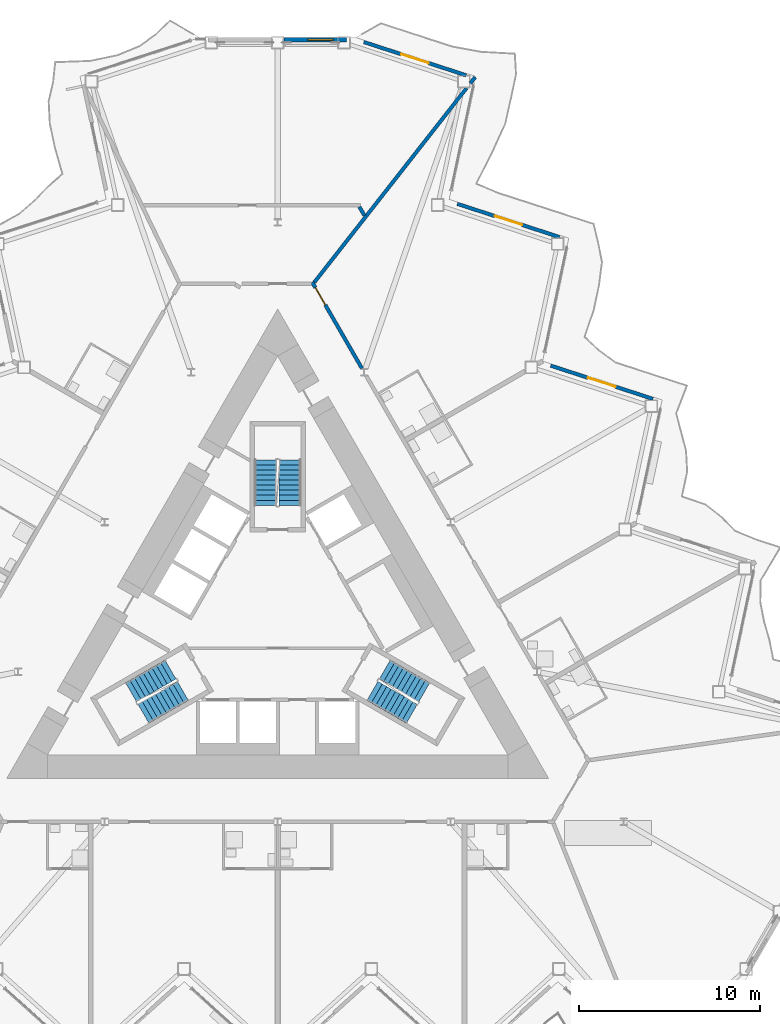
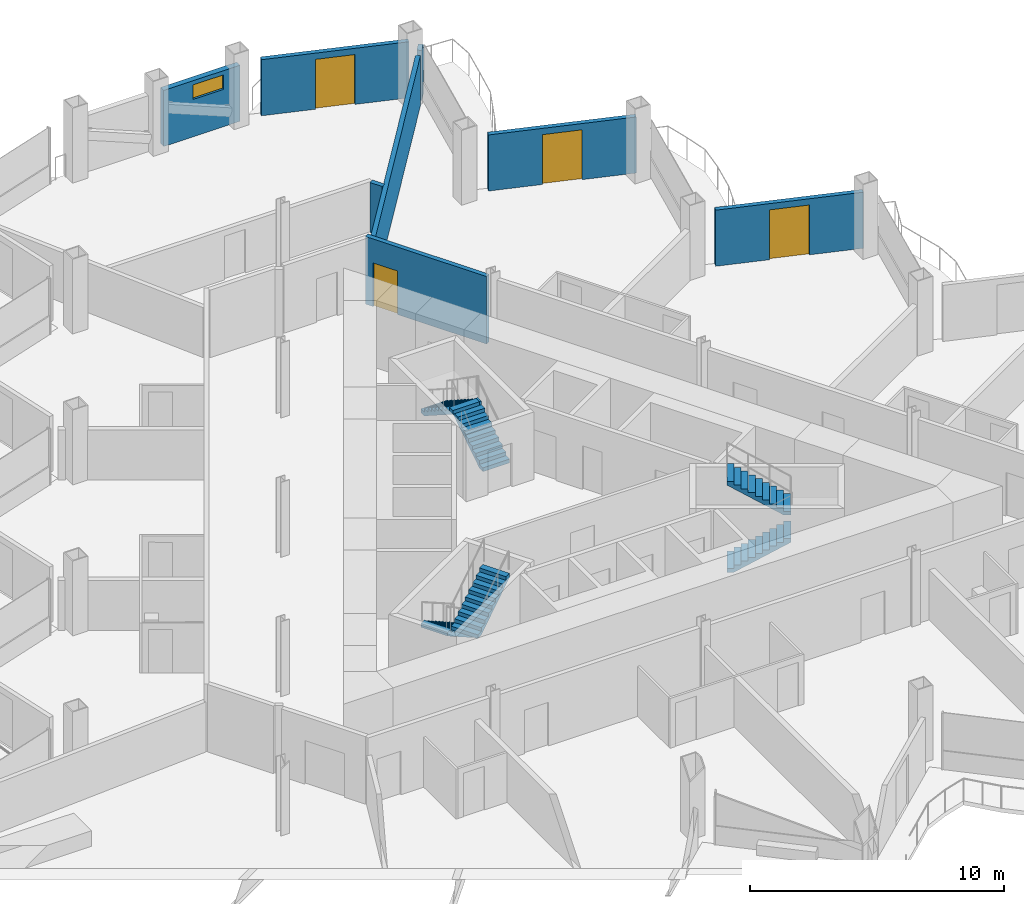
# One storey, part 15 of 24: 8 walls, 6 stair flights, 4 doors, 1 window, 5 openings, 3 elements without a shape of their own.
"""IFC4 building model written with IfcOpenShell, lengths in metres."""

from ifc_helpers import new_model, si_unit, direction, frame, frame_2d, origin, place, context, subcontext, project, spatial, polyline, rectangle, outline, extrude, material, layer, layer_set, type_object, element, fill, aggregate, save


model = new_model("IFC4")

# Units and contexts
model_context = context("Model", 3, precision=1e-05, world=origin(), true_north=direction((0.0, 1.0)))
body_context = subcontext(model_context, "Body", "Model", "MODEL_VIEW")
ifc_project = project(units=[si_unit("LENGTHUNIT", "METRE"), si_unit("AREAUNIT", "SQUARE_METRE"), si_unit("VOLUMEUNIT", "CUBIC_METRE"), si_unit("PLANEANGLEUNIT", "RADIAN"), si_unit("MASSUNIT", "GRAM", prefix="KILO")], contexts=[model_context])

# Site, building, storey
site_placement = place(None, origin())
site = spatial("IfcSite", under=ifc_project, at=site_placement, CompositionType="ELEMENT")
building_placement = place(site_placement, origin())
building = spatial("IfcBuilding", under=site, at=building_placement, Name="Cormorant Prow Tower", CompositionType="ELEMENT")
storey_placement = place(building_placement, frame((0.0, 0.0, 234.60009765625)))
storey = spatial("IfcBuildingStorey", under=building, at=storey_placement, Name="L51", CompositionType="ELEMENT", Elevation=234.60009765625)

# Wall, opening, door
ifc_material_1 = material(Name="Gypsum board corridor wall")
ifc_layer_1 = layer(ifc_material_1, 0.199951171875)
ifc_layer_set_1 = layer_set([ifc_layer_1], Name="Gypsum board corridor wall")
wall_type_1 = type_object("IfcWallType", Name="Corridor wall 200", PredefinedType="PARTITIONING", material=ifc_layer_set_1)
wall_1_placement = place(storey_placement, frame((1.9130859375, 18.80712890625, 0.0), z_axis=(0.0, 0.0, 1.0), x_axis=(0.499984524817, -0.866034338201, 0.0)))
wall_1 = element("IfcWall", 1, at=wall_1_placement, inside=storey, type_object=wall_type_1, Name="Corridor wall", PredefinedType="PARTITIONING", context=body_context, shape_type="SweptSolid", body=[
    extrude(rectangle(XDim=5.510498046875, YDim=0.199951171875, at=frame_2d((2.75537109375, 0.0))), origin(), (0.0, 0.0, 1.0), 3.25),
])
opening_1_placement = place(wall_1_placement, frame((0.350341796875, 0.0, 0.0)))
opening_1 = element("IfcOpeningElement", 2, at=opening_1_placement, cuts=wall_1, Name="Opening L51-F16", PredefinedType="OPENING", context=body_context, shape_type="SweptSolid", body=[
    extrude(rectangle(XDim=1.10009765625, YDim=2.10009765625, at=frame_2d((0.550048828125, 1.050048828125))), frame((0.0, 0.10986328125, 0.0), z_axis=(0.0, -1.0, 0.0), x_axis=(1.0, 0.0, 0.0)), (0.0, 0.0, 1.0), 0.219970703125),
])
ifc_material_2 = material(Name="Timber door leaf", Category="wood")
door_type_1 = type_object("IfcDoorType", Name="Suite entrance door 1100x2100", OperationType="NOTDEFINED", PredefinedType="DOOR", material=ifc_material_2)
door_1_placement = place(opening_1_placement, origin())
door_1 = element("IfcDoor", 3, at=door_1_placement, inside=storey, type_object=door_type_1, Name="Executive suite bedroom door", OperationType="SINGLE_SWING_LEFT", OverallHeight=2.10009765625, OverallWidth=1.10009765625, PredefinedType="DOOR", context=body_context, shape_type="SweptSolid", body=[
    extrude(rectangle(XDim=1.10009765625, YDim=2.10009765625, at=frame_2d((0.550048828125, 1.050048828125))), frame((0.0, 0.02490234375, 0.0), z_axis=(0.0, -1.0, 0.0), x_axis=(1.0, 0.0, 0.0)), (0.0, 0.0, 1.0), 0.050048828125),
])
fill(opening_1, door_1)

# Walls
ifc_material_3 = material(Name="Gypsum board demising wall")
ifc_layer_2 = layer(ifc_material_3, 0.199951171875)
ifc_layer_set_2 = layer_set([ifc_layer_2], Name="Gypsum board demising wall")
wall_type_2 = type_object("IfcWallType", Name="Demising wall 200", PredefinedType="PARTITIONING", material=ifc_layer_set_2)
wall_2_placement = place(storey_placement, frame((2.024658203125, 18.799072265625, 0.0), z_axis=(0.0, 0.0, 1.0), x_axis=(0.616942368609, 0.787008331478, 0.0)))
element("IfcWall", 4, at=wall_2_placement, inside=storey, type_object=wall_type_2, Name="Demising wall", PredefinedType="PARTITIONING", context=body_context, shape_type="SweptSolid", body=[
    extrude(rectangle(XDim=13.66796875, YDim=0.199951171875, at=frame_2d((6.833984375, 0.0))), origin(), (0.0, 0.0, 1.0), 2.404052734375),
])
wall_3_placement = place(storey_placement, frame((4.5244140625, 22.98388671875, 0.0), z_axis=(0.0, 0.0, 1.0), x_axis=(0.500248658738, -0.865881792989, 0.0)))
element("IfcWall", 5, at=wall_3_placement, inside=storey, type_object=wall_type_2, Name="Demising wall", PredefinedType="PARTITIONING", context=body_context, shape_type="SweptSolid", body=[
    extrude(rectangle(XDim=0.562255859375, YDim=0.199951171875, at=frame_2d((0.28125, 0.0))), origin(), (0.0, 0.0, 1.0), 2.404052734375),
])
wall_4_placement = place(storey_placement, frame((10.670166015625, 29.827880859375, 0.0), z_axis=(0.0, 0.0, 1.0), x_axis=(0.617216179113, 0.786793612227, 0.0)))
element("IfcWall", 6, at=wall_4_placement, inside=storey, type_object=wall_type_2, Name="Demising wall", PredefinedType="PARTITIONING", context=body_context, shape_type="SweptSolid", body=[
    extrude(rectangle(XDim=0.427490234375, YDim=0.199951171875, at=frame_2d((0.2138671875, 0.0))), origin(), (0.0, 0.0, 1.0), 2.404052734375),
])

# Wall, opening, window
ifc_material_4 = material(Name="Terracotta", Category="masonry")
ifc_layer_3 = layer(ifc_material_4, 0.25)
ifc_layer_set_3 = layer_set([ifc_layer_3], Name="Terracotta")
wall_type_3 = type_object("IfcWallType", Name="Terracotta bay wall 250", PredefinedType="SOLIDWALL", material=ifc_layer_set_3)
wall_5_placement = place(storey_placement, frame((3.822998046875, 32.2314453125, 0.0), z_axis=(0.0, 0.0, 1.0), x_axis=(-1.0, 0.0, 0.0)))
wall_5 = element("IfcWall", 7, at=wall_5_placement, inside=storey, type_object=wall_type_3, Name="Terracotta bay wall N00", PredefinedType="SOLIDWALL", context=body_context, shape_type="SweptSolid", body=[
    extrude(rectangle(XDim=3.472900390625, YDim=0.25, at=frame_2d((1.736328125, 0.0))), origin(), (0.0, 0.0, 1.0), 2.70068359375),
])
opening_2_placement = place(wall_5_placement, frame((0.75, 0.0, 1.800048828125)))
opening_2 = element("IfcOpeningElement", 8, at=opening_2_placement, cuts=wall_5, Name="Opening WN4", PredefinedType="OPENING", context=body_context, shape_type="SweptSolid", body=[
    extrude(rectangle(XDim=1.39990234375, YDim=0.699951171875, at=frame_2d((0.699951171875, 0.35009765625))), frame((0.0, 0.135009765625, 0.0), z_axis=(0.0, -1.0, 0.0), x_axis=(1.0, 0.0, 0.0)), (0.0, 0.0, 1.0), 0.27001953125),
])
ifc_material_5 = material(Name="Aluminium 6063-T6", Category="aluminium")
window_type = type_object("IfcWindowType", Name="Corner bay window 1400x700", PartitioningType="SINGLE_PANEL", PredefinedType="WINDOW", material=ifc_material_5)
window_placement = place(opening_2_placement, origin())
window = element("IfcWindow", 9, at=window_placement, inside=storey, type_object=window_type, Name="Corner bay window N00", OverallHeight=0.699951171875, OverallWidth=1.39990234375, PartitioningType="SINGLE_PANEL", PredefinedType="WINDOW", context=body_context, shape_type="SweptSolid", body=[
    extrude(rectangle(XDim=1.39990234375, YDim=0.699951171875, at=frame_2d((0.699951171875, 0.35009765625))), frame((0.0, 0.030029296875, 0.0), z_axis=(0.0, -1.0, 0.0), x_axis=(1.0, 0.0, 0.0)), (0.0, 0.0, 1.0), 0.06005859375),
])
fill(opening_2, window)

# Wall, opening, door
ifc_material_6 = material(Name="Terracotta", Category="masonry")
ifc_layer_4 = layer(ifc_material_6, 0.199951171875)
ifc_layer_set_4 = layer_set([ifc_layer_4], Name="Terracotta")
wall_type_4 = type_object("IfcWallType", Name="Terracotta jamb wall 200", PredefinedType="SOLIDWALL", material=ifc_layer_set_4)
wall_6_placement = place(storey_placement, frame((20.779296875, 12.349609375, 0.0), z_axis=(0.0, 0.0, 1.0), x_axis=(-0.951065383831, 0.308989701572, 0.0)))
wall_6 = element("IfcWall", 10, at=wall_6_placement, inside=storey, type_object=wall_type_4, Name="Terracotta jamb wall ENE05", PredefinedType="SOLIDWALL", context=body_context, shape_type="SweptSolid", body=[
    extrude(rectangle(XDim=5.95751953125, YDim=0.199951171875, at=frame_2d((2.978759765625, 0.0))), origin(), (0.0, 0.0, 1.0), 2.70068359375),
])
opening_3_placement = place(wall_6_placement, frame((2.1787109375, 0.0, 0.0)))
opening_3 = element("IfcOpeningElement", 11, at=opening_3_placement, cuts=wall_6, Name="Opening ED51.08", PredefinedType="OPENING", context=body_context, shape_type="SweptSolid", body=[
    extrude(rectangle(XDim=1.60009765625, YDim=2.39990234375, at=frame_2d((0.800048828125, 1.199951171875))), frame((0.0, 0.10986328125, 0.0), z_axis=(0.0, -1.0, 0.0), x_axis=(1.0, 0.0, 0.0)), (0.0, 0.0, 1.0), 0.219970703125),
])
ifc_material_7 = material(Name="Aluminium 6063-T6", Category="aluminium")
door_type_2 = type_object("IfcDoorType", Name="Balcony door 1600x2400", OperationType="DOUBLE_DOOR_SINGLE_SWING", PredefinedType="DOOR", material=ifc_material_7)
door_2_placement = place(opening_3_placement, origin())
door_2 = element("IfcDoor", 12, at=door_2_placement, inside=storey, type_object=door_type_2, Name="Balcony door ENE05 ED51.08", OperationType="DOUBLE_DOOR_SINGLE_SWING", OverallHeight=2.39990234375, OverallWidth=1.60009765625, PredefinedType="DOOR", context=body_context, shape_type="SweptSolid", body=[
    extrude(rectangle(XDim=1.60009765625, YDim=2.39990234375, at=frame_2d((0.800048828125, 1.199951171875))), frame((0.0, 0.02490234375, 0.0), z_axis=(0.0, -1.0, 0.0), x_axis=(1.0, 0.0, 0.0)), (0.0, 0.0, 1.0), 0.050048828125),
])
fill(opening_3, door_2)

wall_7_placement = place(storey_placement, frame((15.607421875, 21.3076171875, 0.0), z_axis=(0.0, 0.0, 1.0), x_axis=(-0.951065383831, 0.308989701572, 0.0)))
wall_7 = element("IfcWall", 13, at=wall_7_placement, inside=storey, type_object=wall_type_4, Name="Terracotta jamb wall ENE07", PredefinedType="SOLIDWALL", context=body_context, shape_type="SweptSolid", body=[
    extrude(rectangle(XDim=5.95751953125, YDim=0.199951171875, at=frame_2d((2.978759765625, 0.0))), origin(), (0.0, 0.0, 1.0), 2.70068359375),
])
opening_4_placement = place(wall_7_placement, frame((2.1787109375, 0.0, 0.0)))
opening_4 = element("IfcOpeningElement", 14, at=opening_4_placement, cuts=wall_7, Name="Opening ED51.09", PredefinedType="OPENING", context=body_context, shape_type="SweptSolid", body=[
    extrude(rectangle(XDim=1.60009765625, YDim=2.39990234375, at=frame_2d((0.800048828125, 1.199951171875))), frame((0.0, 0.10986328125, 0.0), z_axis=(0.0, -1.0, 0.0), x_axis=(1.0, 0.0, 0.0)), (0.0, 0.0, 1.0), 0.219970703125),
])
door_3_placement = place(opening_4_placement, origin())
door_3 = element("IfcDoor", 15, at=door_3_placement, inside=storey, type_object=door_type_2, Name="Balcony door ENE07 ED51.09", OperationType="DOUBLE_DOOR_SINGLE_SWING", OverallHeight=2.39990234375, OverallWidth=1.60009765625, PredefinedType="DOOR", context=body_context, shape_type="SweptSolid", body=[
    extrude(rectangle(XDim=1.60009765625, YDim=2.39990234375, at=frame_2d((0.800048828125, 1.199951171875))), frame((0.0, 0.02490234375, 0.0), z_axis=(0.0, -1.0, 0.0), x_axis=(1.0, 0.0, 0.0)), (0.0, 0.0, 1.0), 0.050048828125),
])
fill(opening_4, door_3)

wall_8_placement = place(storey_placement, frame((10.435302734375, 30.265625, 0.0), z_axis=(0.0, 0.0, 1.0), x_axis=(-0.951061471046, 0.309001744805, 0.0)))
wall_8 = element("IfcWall", 16, at=wall_8_placement, inside=storey, type_object=wall_type_4, Name="Terracotta jamb wall ENE09", PredefinedType="SOLIDWALL", context=body_context, shape_type="SweptSolid", body=[
    extrude(rectangle(XDim=5.957275390625, YDim=0.199951171875, at=frame_2d((2.978515625, 0.0))), origin(), (0.0, 0.0, 1.0), 2.70068359375),
])
opening_5_placement = place(wall_8_placement, frame((2.1787109375, 0.0, 0.0)))
opening_5 = element("IfcOpeningElement", 17, at=opening_5_placement, cuts=wall_8, Name="Opening ED51.10", PredefinedType="OPENING", context=body_context, shape_type="SweptSolid", body=[
    extrude(rectangle(XDim=1.60009765625, YDim=2.39990234375, at=frame_2d((0.800048828125, 1.199951171875))), frame((0.0, 0.10986328125, 0.0), z_axis=(0.0, -1.0, 0.0), x_axis=(1.0, 0.0, 0.0)), (0.0, 0.0, 1.0), 0.219970703125),
])
door_4_placement = place(opening_5_placement, origin())
door_4 = element("IfcDoor", 18, at=door_4_placement, inside=storey, type_object=door_type_2, Name="Balcony door ENE09 ED51.10", OperationType="DOUBLE_DOOR_SINGLE_SWING", OverallHeight=2.39990234375, OverallWidth=1.60009765625, PredefinedType="DOOR", context=body_context, shape_type="SweptSolid", body=[
    extrude(rectangle(XDim=1.60009765625, YDim=2.39990234375, at=frame_2d((0.800048828125, 1.199951171875))), frame((0.0, 0.02490234375, 0.0), z_axis=(0.0, -1.0, 0.0), x_axis=(1.0, 0.0, 0.0)), (0.0, 0.0, 1.0), 0.050048828125),
])
fill(opening_5, door_4)

# Stair, stair flights
ifc_material_8 = material(Name="Exit stair 20 risers")
stair_type = type_object("IfcStairType", Name="Exit stair 20 risers", PredefinedType="HALF_TURN_STAIR", material=ifc_material_8)
stair_1_placement = place(storey_placement, origin())
stair_1 = element("IfcStair", 19, at=stair_1_placement, inside=storey, type_object=stair_type, Name="L51 Exit stair ST1", PredefinedType="HALF_TURN_STAIR")
ifc_material_9 = material(Name="Concrete 5000 psi", Category="concrete")
stair_flight_type = type_object("IfcStairFlightType", Name="Stair flight 1219", PredefinedType="STRAIGHT", material=ifc_material_9)
stair_flight_1_placement = place(storey_placement, frame((-5.93310546875, -2.635009765625, 0.0), z_axis=(0.0, 0.0, 1.0), x_axis=(-0.866025403784, -0.5, 0.0)))
stair_flight_1 = element("IfcStairFlight", 20, at=stair_flight_1_placement, type_object=stair_flight_type, Name="ST1 flight 1", NumberOfRisers=10, NumberOfTreads=9, PredefinedType="STRAIGHT", RiserHeight=0.18, TreadLength=0.28, context=body_context, shape_type="SweptSolid", body=[
    extrude(outline(polyline([(0.0, 0.0), (0.0, 0.179931640625), (0.280029296875, 0.179931640625), (0.280029296875, 0.360107421875), (0.56005859375, 0.360107421875), (0.56005859375, 0.5400390625), (0.840087890625, 0.5400390625), (0.840087890625, 0.719970703125), (1.1201171875, 0.719970703125), (1.1201171875, 0.89990234375), (1.39990234375, 0.89990234375), (1.39990234375, 1.080078125), (1.679931640625, 1.080078125), (1.679931640625, 1.260009765625), (1.9599609375, 1.260009765625), (1.9599609375, 1.43994140625), (2.239990234375, 1.43994140625), (2.239990234375, 1.6201171875), (2.52001953125, 1.6201171875), (2.52001953125, 1.800048828125), (2.52001953125, 1.44189453125), (0.277099609375, 0.0), (0.0, 0.0)])), frame((0.0, 0.609375, 0.0), z_axis=(0.0, -1.0, 0.0), x_axis=(1.0, 0.0, 0.0)), (0.0, 0.0, 1.0), 1.218994140625),
])
stair_flight_2_placement = place(storey_placement, frame((-7.43115234375, -5.080810546875, 1.7998046875), z_axis=(0.0, 0.0, 1.0), x_axis=(0.866025403784, 0.5, 0.0)))
stair_flight_2 = element("IfcStairFlight", 21, at=stair_flight_2_placement, type_object=stair_flight_type, Name="ST1 flight 2", NumberOfRisers=10, NumberOfTreads=9, PredefinedType="STRAIGHT", RiserHeight=0.18, TreadLength=0.28, context=body_context, shape_type="SweptSolid", body=[
    extrude(outline(polyline([(0.0, 0.0), (0.0, 0.179931640625), (0.280029296875, 0.179931640625), (0.280029296875, 0.360107421875), (0.56005859375, 0.360107421875), (0.56005859375, 0.5400390625), (0.840087890625, 0.5400390625), (0.840087890625, 0.719970703125), (1.1201171875, 0.719970703125), (1.1201171875, 0.89990234375), (1.39990234375, 0.89990234375), (1.39990234375, 1.080078125), (1.679931640625, 1.080078125), (1.679931640625, 1.260009765625), (1.9599609375, 1.260009765625), (1.9599609375, 1.43994140625), (2.239990234375, 1.43994140625), (2.239990234375, 1.6201171875), (2.52001953125, 1.6201171875), (2.52001953125, 1.800048828125), (2.52001953125, 1.44189453125), (0.277099609375, 0.0), (0.0, 0.0)])), frame((0.0, 0.609375, 0.0), z_axis=(0.0, -1.0, 0.0), x_axis=(1.0, 0.0, 0.0)), (0.0, 0.0, 1.0), 1.218994140625),
])
aggregate(stair_1, [stair_flight_1, stair_flight_2])

stair_2_placement = place(storey_placement, origin())
stair_2 = element("IfcStair", 22, at=stair_2_placement, inside=storey, type_object=stair_type, Name="L51 Exit stair ST2", PredefinedType="HALF_TURN_STAIR")
stair_flight_3_placement = place(storey_placement, frame((5.24853515625, -3.82080078125, 0.0), z_axis=(0.0, 0.0, 1.0), x_axis=(0.866025403784, -0.5, 0.0)))
stair_flight_3 = element("IfcStairFlight", 23, at=stair_flight_3_placement, type_object=stair_flight_type, Name="ST2 flight 1", NumberOfRisers=10, NumberOfTreads=9, PredefinedType="STRAIGHT", RiserHeight=0.18, TreadLength=0.28, context=body_context, shape_type="SweptSolid", body=[
    extrude(outline(polyline([(0.0, 0.0), (0.0, 0.179931640625), (0.280029296875, 0.179931640625), (0.280029296875, 0.360107421875), (0.56005859375, 0.360107421875), (0.56005859375, 0.5400390625), (0.840087890625, 0.5400390625), (0.840087890625, 0.719970703125), (1.1201171875, 0.719970703125), (1.1201171875, 0.89990234375), (1.39990234375, 0.89990234375), (1.39990234375, 1.080078125), (1.679931640625, 1.080078125), (1.679931640625, 1.260009765625), (1.9599609375, 1.260009765625), (1.9599609375, 1.43994140625), (2.239990234375, 1.43994140625), (2.239990234375, 1.6201171875), (2.52001953125, 1.6201171875), (2.52001953125, 1.800048828125), (2.52001953125, 1.44189453125), (0.277099609375, 0.0), (0.0, 0.0)])), frame((0.0, 0.609375, 0.0), z_axis=(0.0, -1.0, 0.0), x_axis=(1.0, 0.0, 0.0)), (0.0, 0.0, 1.0), 1.218994140625),
])
stair_flight_4_placement = place(storey_placement, frame((8.115478515625, -3.89501953125, 1.7998046875), z_axis=(0.0, 0.0, 1.0), x_axis=(-0.866025403784, 0.5, 0.0)))
stair_flight_4 = element("IfcStairFlight", 24, at=stair_flight_4_placement, type_object=stair_flight_type, Name="ST2 flight 2", NumberOfRisers=10, NumberOfTreads=9, PredefinedType="STRAIGHT", RiserHeight=0.18, TreadLength=0.28, context=body_context, shape_type="SweptSolid", body=[
    extrude(outline(polyline([(0.0, 0.0), (0.0, 0.179931640625), (0.280029296875, 0.179931640625), (0.280029296875, 0.360107421875), (0.56005859375, 0.360107421875), (0.56005859375, 0.5400390625), (0.840087890625, 0.5400390625), (0.840087890625, 0.719970703125), (1.1201171875, 0.719970703125), (1.1201171875, 0.89990234375), (1.39990234375, 0.89990234375), (1.39990234375, 1.080078125), (1.679931640625, 1.080078125), (1.679931640625, 1.260009765625), (1.9599609375, 1.260009765625), (1.9599609375, 1.43994140625), (2.239990234375, 1.43994140625), (2.239990234375, 1.6201171875), (2.52001953125, 1.6201171875), (2.52001953125, 1.800048828125), (2.52001953125, 1.44189453125), (0.277099609375, 0.0), (0.0, 0.0)])), frame((0.0, 0.609375, 0.0), z_axis=(0.0, -1.0, 0.0), x_axis=(1.0, 0.0, 0.0)), (0.0, 0.0, 1.0), 1.218994140625),
])
aggregate(stair_2, [stair_flight_3, stair_flight_4])

stair_3_placement = place(storey_placement, origin())
stair_3 = element("IfcStair", 25, at=stair_3_placement, inside=storey, type_object=stair_type, Name="L51 Exit stair ST3", PredefinedType="HALF_TURN_STAIR")
stair_flight_5_placement = place(storey_placement, frame((0.6845703125, 6.455810546875, 0.0), z_axis=(0.0, 0.0, 1.0), x_axis=(0.0, 1.0, 0.0)))
stair_flight_5 = element("IfcStairFlight", 26, at=stair_flight_5_placement, type_object=stair_flight_type, Name="ST3 flight 1", NumberOfRisers=10, NumberOfTreads=9, PredefinedType="STRAIGHT", RiserHeight=0.18, TreadLength=0.28, context=body_context, shape_type="SweptSolid", body=[
    extrude(outline(polyline([(0.0, 0.0), (0.0, 0.179931640625), (0.280029296875, 0.179931640625), (0.280029296875, 0.360107421875), (0.56005859375, 0.360107421875), (0.56005859375, 0.5400390625), (0.840087890625, 0.5400390625), (0.840087890625, 0.719970703125), (1.1201171875, 0.719970703125), (1.1201171875, 0.89990234375), (1.39990234375, 0.89990234375), (1.39990234375, 1.080078125), (1.679931640625, 1.080078125), (1.679931640625, 1.260009765625), (1.9599609375, 1.260009765625), (1.9599609375, 1.43994140625), (2.239990234375, 1.43994140625), (2.239990234375, 1.6201171875), (2.52001953125, 1.6201171875), (2.52001953125, 1.800048828125), (2.52001953125, 1.44189453125), (0.277099609375, 0.0), (0.0, 0.0)])), frame((0.0, 0.609375, 0.0), z_axis=(0.0, -1.0, 0.0), x_axis=(1.0, 0.0, 0.0)), (0.0, 0.0, 1.0), 1.218994140625),
])
stair_flight_6_placement = place(storey_placement, frame((-0.6845703125, 8.975830078125, 1.7998046875), z_axis=(0.0, 0.0, 1.0), x_axis=(0.0, -1.0, 0.0)))
stair_flight_6 = element("IfcStairFlight", 27, at=stair_flight_6_placement, type_object=stair_flight_type, Name="ST3 flight 2", NumberOfRisers=10, NumberOfTreads=9, PredefinedType="STRAIGHT", RiserHeight=0.18, TreadLength=0.28, context=body_context, shape_type="SweptSolid", body=[
    extrude(outline(polyline([(0.0, 0.0), (0.0, 0.179931640625), (0.280029296875, 0.179931640625), (0.280029296875, 0.360107421875), (0.56005859375, 0.360107421875), (0.56005859375, 0.5400390625), (0.840087890625, 0.5400390625), (0.840087890625, 0.719970703125), (1.1201171875, 0.719970703125), (1.1201171875, 0.89990234375), (1.39990234375, 0.89990234375), (1.39990234375, 1.080078125), (1.679931640625, 1.080078125), (1.679931640625, 1.260009765625), (1.9599609375, 1.260009765625), (1.9599609375, 1.43994140625), (2.239990234375, 1.43994140625), (2.239990234375, 1.6201171875), (2.52001953125, 1.6201171875), (2.52001953125, 1.800048828125), (2.52001953125, 1.44189453125), (0.277099609375, 0.0), (0.0, 0.0)])), frame((0.0, 0.609375, 0.0), z_axis=(0.0, -1.0, 0.0), x_axis=(1.0, 0.0, 0.0)), (0.0, 0.0, 1.0), 1.218994140625),
])
aggregate(stair_3, [stair_flight_5, stair_flight_6])

save(model, "model.ifc")
